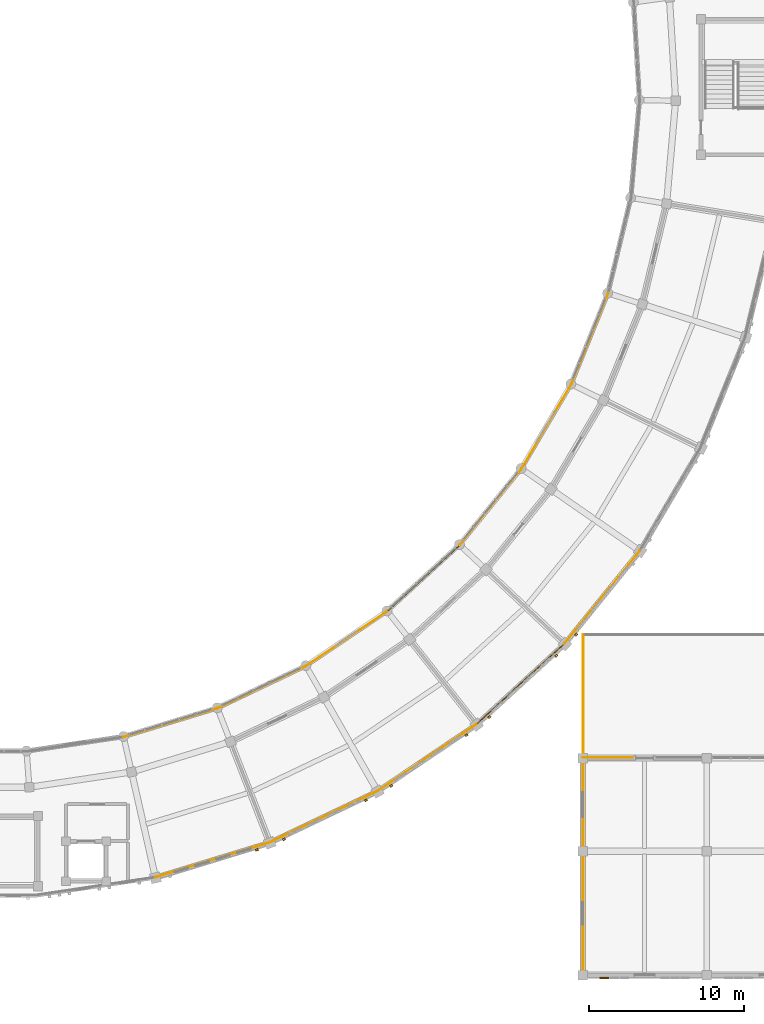
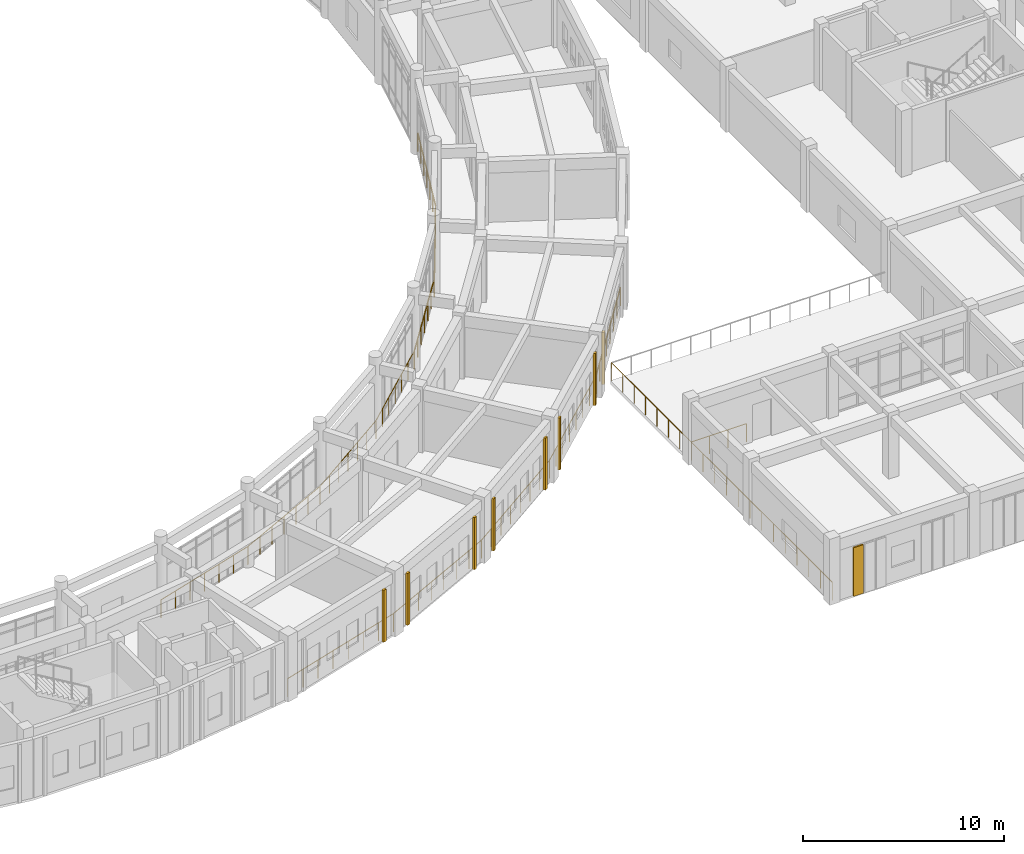
# One storey, part 146 of 159: 15 railings, 8 coverings, 1 shading device.
"""IFC4 building model written with IfcOpenShell, lengths in metres."""

from ifc_helpers import new_model, si_unit, direction, frame, origin, origin_2d, place, context, subcontext, project, spatial, rectangle, circle, extrude, material, layer, layer_set, type_object, element, save


model = new_model("IFC4")

# Units and contexts
model_context = context("Model", 3, precision=1e-05, world=origin(), true_north=direction((0.0, 1.0)))
body_context = subcontext(model_context, "Body", "Model", "MODEL_VIEW")
ifc_project = project(units=[si_unit("LENGTHUNIT", "METRE"), si_unit("AREAUNIT", "SQUARE_METRE"), si_unit("VOLUMEUNIT", "CUBIC_METRE"), si_unit("PLANEANGLEUNIT", "RADIAN"), si_unit("MASSUNIT", "GRAM", prefix="KILO")], contexts=[model_context])

# Site, building, storey
site_placement = place(None, origin())
site = spatial("IfcSite", under=ifc_project, at=site_placement, CompositionType="ELEMENT")
building_placement = place(site_placement, origin())
building = spatial("IfcBuilding", under=site, at=building_placement, Name="Celadon Cloister-Ring School", CompositionType="ELEMENT")
storey_placement = place(building_placement, frame((0.0, 0.0, 4.5)))
storey = spatial("IfcBuildingStorey", under=building, at=storey_placement, Name="L01", CompositionType="ELEMENT", Elevation=4.5)

# Coverings
ifc_material_1 = material(Name="Perforated terracotta clay brick masonry", Category="masonry")
ifc_layer = layer(ifc_material_1, 0.139892578125)
ifc_layer_set = layer_set([ifc_layer], Name="Perforated terracotta clay brick masonry")
covering_type = type_object("IfcCoveringType", Name="CV-SC1", PredefinedType="CLADDING", material=ifc_layer_set)
for number, where, z_axis, x_axis, name in (
    (1, (105.00390625, 10.092041015625, 0.0), (0.0, 0.0, 1.0), (-0.956345569432, -0.29223817654, 0.0), "Brick Screen Rib 0175"),
    (2, (112.031982421875, 13.2880859375, 0.0), (0.0, 0.0, 1.0), (-0.90274301428, -0.430180253114, 0.0), "Brick Screen Rib 0177"),
    (3, (106.7509765625, 10.77099609375, 0.0), (0.0, 0.0, 1.0), (-0.90274301428, -0.430180253114, 0.0), "Brick Screen Rib 0178"),
    (4, (118.510009765625, 17.488037109375, 0.0), (0.0, 0.0, 1.0), (-0.829193696345, -0.558961370706, 0.0), "Brick Screen Rib 0179"),
    (5, (113.659912109375, 14.218017578125, 0.0), (0.0, 0.0, 1.0), (-0.829193696345, -0.558961370706, 0.0), "Brick Screen Rib 0180"),
    (6, (124.298095703125, 22.59912109375, 0.0), (0.0, 0.0, 1.0), (-0.737501330465, -0.67534568005, 0.0), "Brick Screen Rib 0181"),
    (7, (119.98291015625, 18.64892578125, 0.0), (0.0, 0.0, 1.0), (-0.737501330465, -0.67534568005, 0.0), "Brick Screen Rib 0182"),
    (8, (125.5830078125, 23.964111328125, 0.0), (0.0, 0.0, 1.0), (-0.629510264842, -0.776992166279, 0.0), "Brick Screen Rib 0184"),
):
    element("IfcCovering", number, at=place(storey_placement, frame(where, z_axis=z_axis, x_axis=x_axis)), inside=storey, type_object=covering_type, Name=name, PredefinedType="CLADDING", context=body_context, shape_type="SweptSolid", body=[
        extrude(rectangle(XDim=0.179931640625, YDim=0.139892578125, at=origin_2d()), origin(), (0.0, 0.0, 1.0), 3.152099609375),
    ])

# Railings
ifc_material_2 = material(Name="Structural steel S355JR", Category="steel")
railing_type = type_object("IfcRailingType", Name="RL-BL1", PredefinedType="BALUSTRADE", material=ifc_material_2)
railing_1_placement = place(storey_placement, frame((98.4619140625, 8.320068359375, 0.0)))
element("IfcRailing", 9, at=railing_1_placement, inside=storey, type_object=railing_type, Name="Terrace Balustrade 0020", PredefinedType="BALUSTRADE", context=body_context, shape_type="SweptSolid", body=[
    extrude(circle(Radius=0.02392578125, at=origin_2d()), frame((0.0, 0.0, 1.09619140625), z_axis=(0.95633408974, 0.29227574104, 0.0), x_axis=(-0.29227574104, 0.95633408974, 0.0)), (0.0, 0.0, 1.0), 7.6982421875),
    extrude(circle(Radius=0.02099609375, at=origin_2d()), origin(), (0.0, 0.0, 1.0), 1.072021484375),
    extrude(circle(Radius=0.02099609375, at=origin_2d()), frame((1.0517578125, 0.321533203125, 0.0)), (0.0, 0.0, 1.0), 1.072021484375),
    extrude(circle(Radius=0.02099609375, at=origin_2d()), frame((2.103515625, 0.642822265625, 0.0)), (0.0, 0.0, 1.0), 1.072021484375),
    extrude(circle(Radius=0.02099609375, at=origin_2d()), frame((3.1552734375, 0.96435546875, 0.0)), (0.0, 0.0, 1.0), 1.072021484375),
    extrude(circle(Radius=0.02099609375, at=origin_2d()), frame((4.206787109375, 1.28564453125, 0.0)), (0.0, 0.0, 1.0), 1.072021484375),
    extrude(circle(Radius=0.02099609375, at=origin_2d()), frame((5.258544921875, 1.607177734375, 0.0)), (0.0, 0.0, 1.0), 1.072021484375),
    extrude(circle(Radius=0.02099609375, at=origin_2d()), frame((6.310302734375, 1.928466796875, 0.0)), (0.0, 0.0, 1.0), 1.072021484375),
    extrude(circle(Radius=0.02099609375, at=origin_2d()), frame((7.362060546875, 2.25, 0.0)), (0.0, 0.0, 1.0), 1.072021484375),
])
railing_2_placement = place(storey_placement, frame((105.823974609375, 10.570068359375, 0.0)))
element("IfcRailing", 10, at=railing_2_placement, inside=storey, type_object=railing_type, Name="Terrace Balustrade 0021", PredefinedType="BALUSTRADE", context=body_context, shape_type="SweptSolid", body=[
    extrude(circle(Radius=0.02392578125, at=origin_2d()), frame((0.0, 0.0, 1.09619140625), z_axis=(0.902686900331, 0.430297989736, 0.0), x_axis=(-0.430297989736, 0.902686900331, 0.0)), (0.0, 0.0, 1.0), 7.697021484375),
    extrude(circle(Radius=0.02099609375, at=origin_2d()), origin(), (0.0, 0.0, 1.0), 1.072021484375),
    extrude(circle(Radius=0.02099609375, at=origin_2d()), frame((0.99267578125, 0.47314453125, 0.0)), (0.0, 0.0, 1.0), 1.072021484375),
    extrude(circle(Radius=0.02099609375, at=origin_2d()), frame((1.985107421875, 0.9462890625, 0.0)), (0.0, 0.0, 1.0), 1.072021484375),
    extrude(circle(Radius=0.02099609375, at=origin_2d()), frame((2.977783203125, 1.41943359375, 0.0)), (0.0, 0.0, 1.0), 1.072021484375),
    extrude(circle(Radius=0.02099609375, at=origin_2d()), frame((3.97021484375, 1.892578125, 0.0)), (0.0, 0.0, 1.0), 1.072021484375),
    extrude(circle(Radius=0.02099609375, at=origin_2d()), frame((4.962890625, 2.36572265625, 0.0)), (0.0, 0.0, 1.0), 1.072021484375),
    extrude(circle(Radius=0.02099609375, at=origin_2d()), frame((5.955322265625, 2.8388671875, 0.0)), (0.0, 0.0, 1.0), 1.072021484375),
    extrude(circle(Radius=0.02099609375, at=origin_2d()), frame((6.947998046875, 3.31201171875, 0.0)), (0.0, 0.0, 1.0), 1.072021484375),
])
railing_3_placement = place(storey_placement, frame((112.77197265625, 13.882080078125, 0.0)))
element("IfcRailing", 11, at=railing_3_placement, inside=storey, type_object=railing_type, Name="Terrace Balustrade 0022", PredefinedType="BALUSTRADE", context=body_context, shape_type="SweptSolid", body=[
    extrude(circle(Radius=0.02392578125, at=origin_2d()), frame((0.0, 0.0, 1.09619140625), z_axis=(0.829184941382, 0.558974358075, 0.0), x_axis=(-0.558974358075, 0.829184941382, 0.0)), (0.0, 0.0, 1.0), 7.697998046875),
    extrude(circle(Radius=0.02099609375, at=origin_2d()), origin(), (0.0, 0.0, 1.0), 1.072021484375),
    extrude(circle(Radius=0.02099609375, at=origin_2d()), frame((0.911865234375, 0.61474609375, 0.0)), (0.0, 0.0, 1.0), 1.072021484375),
    extrude(circle(Radius=0.02099609375, at=origin_2d()), frame((1.82373046875, 1.2294921875, 0.0)), (0.0, 0.0, 1.0), 1.072021484375),
    extrude(circle(Radius=0.02099609375, at=origin_2d()), frame((2.735595703125, 1.84423828125, 0.0)), (0.0, 0.0, 1.0), 1.072021484375),
    extrude(circle(Radius=0.02099609375, at=origin_2d()), frame((3.6474609375, 2.458740234375, 0.0)), (0.0, 0.0, 1.0), 1.072021484375),
    extrude(circle(Radius=0.02099609375, at=origin_2d()), frame((4.559326171875, 3.073486328125, 0.0)), (0.0, 0.0, 1.0), 1.072021484375),
    extrude(circle(Radius=0.02099609375, at=origin_2d()), frame((5.47119140625, 3.688232421875, 0.0)), (0.0, 0.0, 1.0), 1.072021484375),
    extrude(circle(Radius=0.02099609375, at=origin_2d()), frame((6.383056640625, 4.302978515625, 0.0)), (0.0, 0.0, 1.0), 1.072021484375),
])
railing_4_placement = place(storey_placement, frame((119.155029296875, 18.18505859375, 0.0)))
element("IfcRailing", 12, at=railing_4_placement, inside=storey, type_object=railing_type, Name="Terrace Balustrade 0023", PredefinedType="BALUSTRADE", context=body_context, shape_type="SweptSolid", body=[
    extrude(circle(Radius=0.02392578125, at=origin_2d()), frame((0.0, 0.0, 1.09619140625), z_axis=(0.737537150433, 0.675306561298, 0.0), x_axis=(-0.675306561298, 0.737537150433, 0.0)), (0.0, 0.0, 1.0), 7.697265625),
    extrude(circle(Radius=0.02099609375, at=origin_2d()), origin(), (0.0, 0.0, 1.0), 1.072021484375),
    extrude(circle(Radius=0.02099609375, at=origin_2d()), frame((0.81103515625, 0.74267578125, 0.0)), (0.0, 0.0, 1.0), 1.072021484375),
    extrude(circle(Radius=0.02099609375, at=origin_2d()), frame((1.6220703125, 1.485107421875, 0.0)), (0.0, 0.0, 1.0), 1.072021484375),
    extrude(circle(Radius=0.02099609375, at=origin_2d()), frame((2.43310546875, 2.227783203125, 0.0)), (0.0, 0.0, 1.0), 1.072021484375),
    extrude(circle(Radius=0.02099609375, at=origin_2d()), frame((3.243896484375, 2.97021484375, 0.0)), (0.0, 0.0, 1.0), 1.072021484375),
    extrude(circle(Radius=0.02099609375, at=origin_2d()), frame((4.054931640625, 3.712890625, 0.0)), (0.0, 0.0, 1.0), 1.072021484375),
    extrude(circle(Radius=0.02099609375, at=origin_2d()), frame((4.865966796875, 4.455322265625, 0.0)), (0.0, 0.0, 1.0), 1.072021484375),
    extrude(circle(Radius=0.02099609375, at=origin_2d()), frame((5.677001953125, 5.197998046875, 0.0)), (0.0, 0.0, 1.0), 1.072021484375),
])
railing_5_placement = place(storey_placement, frame((124.83203125, 23.383056640625, 0.0)))
element("IfcRailing", 13, at=railing_5_placement, inside=storey, type_object=railing_type, Name="Terrace Balustrade 0024", PredefinedType="BALUSTRADE", context=body_context, shape_type="SweptSolid", body=[
    extrude(circle(Radius=0.02392578125, at=origin_2d()), frame((0.0, 0.0, 1.09619140625), z_axis=(0.629605941512, 0.776914640365, 0.0), x_axis=(-0.776914640365, 0.629605941512, 0.0)), (0.0, 0.0, 1.0), 7.6982421875),
    extrude(circle(Radius=0.02099609375, at=origin_2d()), origin(), (0.0, 0.0, 1.0), 1.072021484375),
    extrude(circle(Radius=0.02099609375, at=origin_2d()), frame((0.6923828125, 0.8544921875, 0.0)), (0.0, 0.0, 1.0), 1.072021484375),
    extrude(circle(Radius=0.02099609375, at=origin_2d()), frame((1.384765625, 1.708740234375, 0.0)), (0.0, 0.0, 1.0), 1.072021484375),
    extrude(circle(Radius=0.02099609375, at=origin_2d()), frame((2.0771484375, 2.563232421875, 0.0)), (0.0, 0.0, 1.0), 1.072021484375),
    extrude(circle(Radius=0.02099609375, at=origin_2d()), frame((2.769775390625, 3.417724609375, 0.0)), (0.0, 0.0, 1.0), 1.072021484375),
    extrude(circle(Radius=0.02099609375, at=origin_2d()), frame((3.462158203125, 4.272216796875, 0.0)), (0.0, 0.0, 1.0), 1.072021484375),
    extrude(circle(Radius=0.02099609375, at=origin_2d()), frame((4.154541015625, 5.12646484375, 0.0)), (0.0, 0.0, 1.0), 1.072021484375),
    extrude(circle(Radius=0.02099609375, at=origin_2d()), frame((4.846923828125, 5.98095703125, 0.0)), (0.0, 0.0, 1.0), 1.072021484375),
])
railing_6_placement = place(storey_placement, frame((96.4169921875, 17.362060546875, 0.0)))
element("IfcRailing", 14, at=railing_6_placement, inside=storey, type_object=railing_type, Name="Terrace Balustrade 0055", PredefinedType="BALUSTRADE", context=body_context, shape_type="SweptSolid", body=[
    extrude(circle(Radius=0.02392578125, at=origin_2d()), frame((0.0, 0.0, 1.09619140625), z_axis=(0.956370446396, 0.292156754602, 0.0), x_axis=(-0.292156754602, 0.956370446396, 0.0)), (0.0, 0.0, 1.0), 6.324951171875),
    extrude(circle(Radius=0.02099609375, at=origin_2d()), origin(), (0.0, 0.0, 1.0), 1.072021484375),
    extrude(circle(Radius=0.02099609375, at=origin_2d()), frame((1.00830078125, 0.30810546875, 0.0)), (0.0, 0.0, 1.0), 1.072021484375),
    extrude(circle(Radius=0.02099609375, at=origin_2d()), frame((2.016357421875, 0.615966796875, 0.0)), (0.0, 0.0, 1.0), 1.072021484375),
    extrude(circle(Radius=0.02099609375, at=origin_2d()), frame((3.0244140625, 0.923828125, 0.0)), (0.0, 0.0, 1.0), 1.072021484375),
    extrude(circle(Radius=0.02099609375, at=origin_2d()), frame((4.03271484375, 1.23193359375, 0.0)), (0.0, 0.0, 1.0), 1.072021484375),
    extrude(circle(Radius=0.02099609375, at=origin_2d()), frame((5.041015625, 1.5400390625, 0.0)), (0.0, 0.0, 1.0), 1.072021484375),
    extrude(circle(Radius=0.02099609375, at=origin_2d()), frame((6.049072265625, 1.847900390625, 0.0)), (0.0, 0.0, 1.0), 1.072021484375),
])
railing_7_placement = place(storey_placement, frame((102.466064453125, 19.2099609375, 0.0)))
element("IfcRailing", 15, at=railing_7_placement, inside=storey, type_object=railing_type, Name="Terrace Balustrade 0056", PredefinedType="BALUSTRADE", context=body_context, shape_type="SweptSolid", body=[
    extrude(circle(Radius=0.02392578125, at=origin_2d()), frame((0.0, 0.0, 1.09619140625), z_axis=(0.902685596097, 0.43030072577, 0.0), x_axis=(-0.43030072577, 0.902685596097, 0.0)), (0.0, 0.0, 1.0), 6.3232421875),
    extrude(circle(Radius=0.02099609375, at=origin_2d()), origin(), (0.0, 0.0, 1.0), 1.072021484375),
    extrude(circle(Radius=0.02099609375, at=origin_2d()), frame((0.951416015625, 0.45361328125, 0.0)), (0.0, 0.0, 1.0), 1.072021484375),
    extrude(circle(Radius=0.02099609375, at=origin_2d()), frame((1.902587890625, 0.906982421875, 0.0)), (0.0, 0.0, 1.0), 1.072021484375),
    extrude(circle(Radius=0.02099609375, at=origin_2d()), frame((2.85400390625, 1.3603515625, 0.0)), (0.0, 0.0, 1.0), 1.072021484375),
    extrude(circle(Radius=0.02099609375, at=origin_2d()), frame((3.805419921875, 1.81396484375, 0.0)), (0.0, 0.0, 1.0), 1.072021484375),
    extrude(circle(Radius=0.02099609375, at=origin_2d()), frame((4.756591796875, 2.267578125, 0.0)), (0.0, 0.0, 1.0), 1.072021484375),
    extrude(circle(Radius=0.02099609375, at=origin_2d()), frame((5.7080078125, 2.720947265625, 0.0)), (0.0, 0.0, 1.0), 1.072021484375),
])
railing_8_placement = place(storey_placement, frame((108.174072265625, 21.930908203125, 0.0)))
element("IfcRailing", 16, at=railing_8_placement, inside=storey, type_object=railing_type, Name="Terrace Balustrade 0057", PredefinedType="BALUSTRADE", context=body_context, shape_type="SweptSolid", body=[
    extrude(circle(Radius=0.02392578125, at=origin_2d()), frame((0.0, 0.0, 1.09619140625), z_axis=(0.829153257333, 0.559021355454, 0.0), x_axis=(-0.559021355454, 0.829153257333, 0.0)), (0.0, 0.0, 1.0), 6.32568359375),
    extrude(circle(Radius=0.02099609375, at=origin_2d()), origin(), (0.0, 0.0, 1.0), 1.072021484375),
    extrude(circle(Radius=0.02099609375, at=origin_2d()), frame((0.8740234375, 0.58935546875, 0.0)), (0.0, 0.0, 1.0), 1.072021484375),
    extrude(circle(Radius=0.02099609375, at=origin_2d()), frame((1.748291015625, 1.1787109375, 0.0)), (0.0, 0.0, 1.0), 1.072021484375),
    extrude(circle(Radius=0.02099609375, at=origin_2d()), frame((2.62255859375, 1.76806640625, 0.0)), (0.0, 0.0, 1.0), 1.072021484375),
    extrude(circle(Radius=0.02099609375, at=origin_2d()), frame((3.49658203125, 2.357421875, 0.0)), (0.0, 0.0, 1.0), 1.072021484375),
    extrude(circle(Radius=0.02099609375, at=origin_2d()), frame((4.37060546875, 2.94677734375, 0.0)), (0.0, 0.0, 1.0), 1.072021484375),
    extrude(circle(Radius=0.02099609375, at=origin_2d()), frame((5.244873046875, 3.5361328125, 0.0)), (0.0, 0.0, 1.0), 1.072021484375),
])
railing_9_placement = place(storey_placement, frame((113.4189453125, 25.467041015625, 0.0)))
element("IfcRailing", 17, at=railing_9_placement, inside=storey, type_object=railing_type, Name="Terrace Balustrade 0058", PredefinedType="BALUSTRADE", context=body_context, shape_type="SweptSolid", body=[
    extrude(circle(Radius=0.02392578125, at=origin_2d()), frame((0.0, 0.0, 1.09619140625), z_axis=(0.737500172804, 0.675346944254, 0.0), x_axis=(-0.675346944254, 0.737500172804, 0.0)), (0.0, 0.0, 1.0), 6.32421875),
    extrude(circle(Radius=0.02099609375, at=origin_2d()), origin(), (0.0, 0.0, 1.0), 1.072021484375),
    extrude(circle(Radius=0.02099609375, at=origin_2d()), frame((0.77734375, 0.7119140625, 0.0)), (0.0, 0.0, 1.0), 1.072021484375),
    extrude(circle(Radius=0.02099609375, at=origin_2d()), frame((1.5546875, 1.423583984375, 0.0)), (0.0, 0.0, 1.0), 1.072021484375),
    extrude(circle(Radius=0.02099609375, at=origin_2d()), frame((2.33203125, 2.135498046875, 0.0)), (0.0, 0.0, 1.0), 1.072021484375),
    extrude(circle(Radius=0.02099609375, at=origin_2d()), frame((3.109375, 2.847412109375, 0.0)), (0.0, 0.0, 1.0), 1.072021484375),
    extrude(circle(Radius=0.02099609375, at=origin_2d()), frame((3.88671875, 3.55908203125, 0.0)), (0.0, 0.0, 1.0), 1.072021484375),
    extrude(circle(Radius=0.02099609375, at=origin_2d()), frame((4.6640625, 4.27099609375, 0.0)), (0.0, 0.0, 1.0), 1.072021484375),
])
railing_10_placement = place(storey_placement, frame((118.0830078125, 29.738037109375, 0.0)))
element("IfcRailing", 18, at=railing_10_placement, inside=storey, type_object=railing_type, Name="Terrace Balustrade 0059", PredefinedType="BALUSTRADE", context=body_context, shape_type="SweptSolid", body=[
    extrude(circle(Radius=0.02392578125, at=origin_2d()), frame((0.0, 0.0, 1.09619140625), z_axis=(0.629663450113, 0.776868032288, 0.0), x_axis=(-0.776868032288, 0.629663450113, 0.0)), (0.0, 0.0, 1.0), 6.323974609375),
    extrude(circle(Radius=0.02099609375, at=origin_2d()), origin(), (0.0, 0.0, 1.0), 1.072021484375),
    extrude(circle(Radius=0.02099609375, at=origin_2d()), frame((0.66357421875, 0.81884765625, 0.0)), (0.0, 0.0, 1.0), 1.072021484375),
    extrude(circle(Radius=0.02099609375, at=origin_2d()), frame((1.327392578125, 1.6376953125, 0.0)), (0.0, 0.0, 1.0), 1.072021484375),
    extrude(circle(Radius=0.02099609375, at=origin_2d()), frame((1.990966796875, 2.45654296875, 0.0)), (0.0, 0.0, 1.0), 1.072021484375),
    extrude(circle(Radius=0.02099609375, at=origin_2d()), frame((2.654541015625, 3.275146484375, 0.0)), (0.0, 0.0, 1.0), 1.072021484375),
    extrude(circle(Radius=0.02099609375, at=origin_2d()), frame((3.318359375, 4.093994140625, 0.0)), (0.0, 0.0, 1.0), 1.072021484375),
    extrude(circle(Radius=0.02099609375, at=origin_2d()), frame((3.98193359375, 4.912841796875, 0.0)), (0.0, 0.0, 1.0), 1.072021484375),
])
railing_11_placement = place(storey_placement, frame((122.06494140625, 34.65087890625, 0.0)))
element("IfcRailing", 19, at=railing_11_placement, inside=storey, type_object=railing_type, Name="Terrace Balustrade 0060", PredefinedType="BALUSTRADE", context=body_context, shape_type="SweptSolid", body=[
    extrude(circle(Radius=0.02392578125, at=origin_2d()), frame((0.0, 0.0, 1.09619140625), z_axis=(0.507993097336, 0.861361139743, 0.0), x_axis=(-0.861361139743, 0.507993097336, 0.0)), (0.0, 0.0, 1.0), 6.3251953125),
    extrude(circle(Radius=0.02099609375, at=origin_2d()), origin(), (0.0, 0.0, 1.0), 1.072021484375),
    extrude(circle(Radius=0.02099609375, at=origin_2d()), frame((0.53564453125, 0.907958984375, 0.0)), (0.0, 0.0, 1.0), 1.072021484375),
    extrude(circle(Radius=0.02099609375, at=origin_2d()), frame((1.071044921875, 1.816162109375, 0.0)), (0.0, 0.0, 1.0), 1.072021484375),
    extrude(circle(Radius=0.02099609375, at=origin_2d()), frame((1.6064453125, 2.72412109375, 0.0)), (0.0, 0.0, 1.0), 1.072021484375),
    extrude(circle(Radius=0.02099609375, at=origin_2d()), frame((2.14208984375, 3.632080078125, 0.0)), (0.0, 0.0, 1.0), 1.072021484375),
    extrude(circle(Radius=0.02099609375, at=origin_2d()), frame((2.677734375, 4.540283203125, 0.0)), (0.0, 0.0, 1.0), 1.072021484375),
    extrude(circle(Radius=0.02099609375, at=origin_2d()), frame((3.213134765625, 5.4482421875, 0.0)), (0.0, 0.0, 1.0), 1.072021484375),
])
railing_12_placement = place(storey_placement, frame((125.278076171875, 40.09912109375, 0.0)))
element("IfcRailing", 20, at=railing_12_placement, inside=storey, type_object=railing_type, Name="Terrace Balustrade 0061", PredefinedType="BALUSTRADE", context=body_context, shape_type="SweptSolid", body=[
    extrude(circle(Radius=0.02392578125, at=origin_2d()), frame((0.0, 0.0, 1.09619140625), z_axis=(0.375082176231, 0.926991564726, 0.0), x_axis=(-0.926991564726, 0.375082176231, 0.0)), (0.0, 0.0, 1.0), 6.323486328125),
    extrude(circle(Radius=0.02099609375, at=origin_2d()), origin(), (0.0, 0.0, 1.0), 1.072021484375),
    extrude(circle(Radius=0.02099609375, at=origin_2d()), frame((0.395263671875, 0.97705078125, 0.0)), (0.0, 0.0, 1.0), 1.072021484375),
    extrude(circle(Radius=0.02099609375, at=origin_2d()), frame((0.79052734375, 1.953857421875, 0.0)), (0.0, 0.0, 1.0), 1.072021484375),
    extrude(circle(Radius=0.02099609375, at=origin_2d()), frame((1.18603515625, 2.930908203125, 0.0)), (0.0, 0.0, 1.0), 1.072021484375),
    extrude(circle(Radius=0.02099609375, at=origin_2d()), frame((1.581298828125, 3.907958984375, 0.0)), (0.0, 0.0, 1.0), 1.072021484375),
    extrude(circle(Radius=0.02099609375, at=origin_2d()), frame((1.9765625, 4.884765625, 0.0)), (0.0, 0.0, 1.0), 1.072021484375),
    extrude(circle(Radius=0.02099609375, at=origin_2d()), frame((2.371826171875, 5.86181640625, 0.0)), (0.0, 0.0, 1.0), 1.072021484375),
])
railing_13_placement = place(storey_placement, frame((126.0400390625, 23.9599609375, 0.0)))
element("IfcRailing", 21, at=railing_13_placement, inside=storey, type_object=railing_type, Name="Terrace Balustrade 0418", PredefinedType="BALUSTRADE", context=body_context, shape_type="SweptSolid", body=[
    extrude(circle(Radius=0.02392578125, at=origin_2d()), frame((0.0, 0.0, 1.09619140625), z_axis=(0.0, -1.0, 0.0), x_axis=(1.0, 0.0, 0.0)), (0.0, 0.0, 1.0), 7.919921875),
    extrude(circle(Radius=0.02099609375, at=origin_2d()), origin(), (0.0, 0.0, 1.0), 1.072021484375),
    extrude(circle(Radius=0.02099609375, at=origin_2d()), frame((0.0, -1.13134765625, 0.0)), (0.0, 0.0, 1.0), 1.072021484375),
    extrude(circle(Radius=0.02099609375, at=origin_2d()), frame((0.0, -2.262939453125, 0.0)), (0.0, 0.0, 1.0), 1.072021484375),
    extrude(circle(Radius=0.02099609375, at=origin_2d()), frame((0.0, -3.394287109375, 0.0)), (0.0, 0.0, 1.0), 1.072021484375),
    extrude(circle(Radius=0.02099609375, at=origin_2d()), frame((0.0, -4.525634765625, 0.0)), (0.0, 0.0, 1.0), 1.072021484375),
    extrude(circle(Radius=0.02099609375, at=origin_2d()), frame((0.0, -5.656982421875, 0.0)), (0.0, 0.0, 1.0), 1.072021484375),
    extrude(circle(Radius=0.02099609375, at=origin_2d()), frame((0.0, -6.78857421875, 0.0)), (0.0, 0.0, 1.0), 1.072021484375),
    extrude(circle(Radius=0.02099609375, at=origin_2d()), frame((0.0, -7.919921875, 0.0)), (0.0, 0.0, 1.0), 1.072021484375),
])
railing_14_placement = place(storey_placement, frame((129.201904296875, 16.0400390625, 0.0)))
element("IfcRailing", 22, at=railing_14_placement, inside=storey, type_object=railing_type, Name="Terrace Balustrade 0425", PredefinedType="BALUSTRADE", context=body_context, shape_type="SweptSolid", body=[
    extrude(circle(Radius=0.02392578125, at=origin_2d()), frame((0.0, 0.0, 1.09619140625), z_axis=(-1.0, 0.0, 0.0), x_axis=(0.0, -1.0, 0.0)), (0.0, 0.0, 1.0), 3.161865234375),
    extrude(circle(Radius=0.02099609375, at=origin_2d()), origin(), (0.0, 0.0, 1.0), 1.072021484375),
    extrude(circle(Radius=0.02099609375, at=origin_2d()), frame((-1.053955078125, 0.0, 0.0)), (0.0, 0.0, 1.0), 1.072021484375),
    extrude(circle(Radius=0.02099609375, at=origin_2d()), frame((-2.10791015625, 0.0, 0.0)), (0.0, 0.0, 1.0), 1.072021484375),
    extrude(circle(Radius=0.02099609375, at=origin_2d()), frame((-3.161865234375, 0.0, 0.0)), (0.0, 0.0, 1.0), 1.072021484375),
])
railing_15_placement = place(storey_placement, frame((126.0400390625, 16.0400390625, 0.0)))
element("IfcRailing", 23, at=railing_15_placement, inside=storey, type_object=railing_type, Name="Terrace Balustrade 0426", PredefinedType="BALUSTRADE", context=body_context, shape_type="SweptSolid", body=[
    extrude(circle(Radius=0.02392578125, at=origin_2d()), frame((0.0, 0.0, 1.09619140625), z_axis=(0.0, -1.0, 0.0), x_axis=(1.0, 0.0, 0.0)), (0.0, 0.0, 1.0), 14.0),
    extrude(circle(Radius=0.02099609375, at=origin_2d()), origin(), (0.0, 0.0, 1.0), 1.072021484375),
    extrude(circle(Radius=0.02099609375, at=origin_2d()), frame((0.0, -1.166748046875, 0.0)), (0.0, 0.0, 1.0), 1.072021484375),
    extrude(circle(Radius=0.02099609375, at=origin_2d()), frame((0.0, -2.333251953125, 0.0)), (0.0, 0.0, 1.0), 1.072021484375),
    extrude(circle(Radius=0.02099609375, at=origin_2d()), frame((0.0, -3.5, 0.0)), (0.0, 0.0, 1.0), 1.072021484375),
    extrude(circle(Radius=0.02099609375, at=origin_2d()), frame((0.0, -4.666748046875, 0.0)), (0.0, 0.0, 1.0), 1.072021484375),
    extrude(circle(Radius=0.02099609375, at=origin_2d()), frame((0.0, -5.833251953125, 0.0)), (0.0, 0.0, 1.0), 1.072021484375),
    extrude(circle(Radius=0.02099609375, at=origin_2d()), frame((0.0, -7.0, 0.0)), (0.0, 0.0, 1.0), 1.072021484375),
    extrude(circle(Radius=0.02099609375, at=origin_2d()), frame((0.0, -8.166748046875, 0.0)), (0.0, 0.0, 1.0), 1.072021484375),
    extrude(circle(Radius=0.02099609375, at=origin_2d()), frame((0.0, -9.333251953125, 0.0)), (0.0, 0.0, 1.0), 1.072021484375),
    extrude(circle(Radius=0.02099609375, at=origin_2d()), frame((0.0, -10.5, 0.0)), (0.0, 0.0, 1.0), 1.072021484375),
    extrude(circle(Radius=0.02099609375, at=origin_2d()), frame((0.0, -11.666748046875, 0.0)), (0.0, 0.0, 1.0), 1.072021484375),
    extrude(circle(Radius=0.02099609375, at=origin_2d()), frame((0.0, -12.833251953125, 0.0)), (0.0, 0.0, 1.0), 1.072021484375),
    extrude(circle(Radius=0.02099609375, at=origin_2d()), frame((0.0, -14.0, 0.0)), (0.0, 0.0, 1.0), 1.072021484375),
])

# Shading device
ifc_material_3 = material(Name="Glazed celadon architectural terracotta", Category="masonry")
shading_device_type = type_object("IfcShadingDeviceType", Name="SD-01", PredefinedType="USERDEFINED", material=ifc_material_3)
shading_device_placement = place(storey_placement, frame((127.39990234375, 1.827880859375, 0.0), z_axis=(0.0, 0.0, 1.0), x_axis=(-1.0, 0.0, 0.0)))
element("IfcShadingDevice", 24, at=shading_device_placement, inside=storey, type_object=shading_device_type, Name="Celadon Sunshade Screen 0061", ObjectType="SUNSHADE", PredefinedType="USERDEFINED", context=body_context, shape_type="SweptSolid", body=[
    extrude(rectangle(XDim=0.56005859375, YDim=0.090087890625, at=origin_2d()), origin(), (0.0, 0.0, 1.0), 2.949951171875),
])

save(model, "model.ifc")
